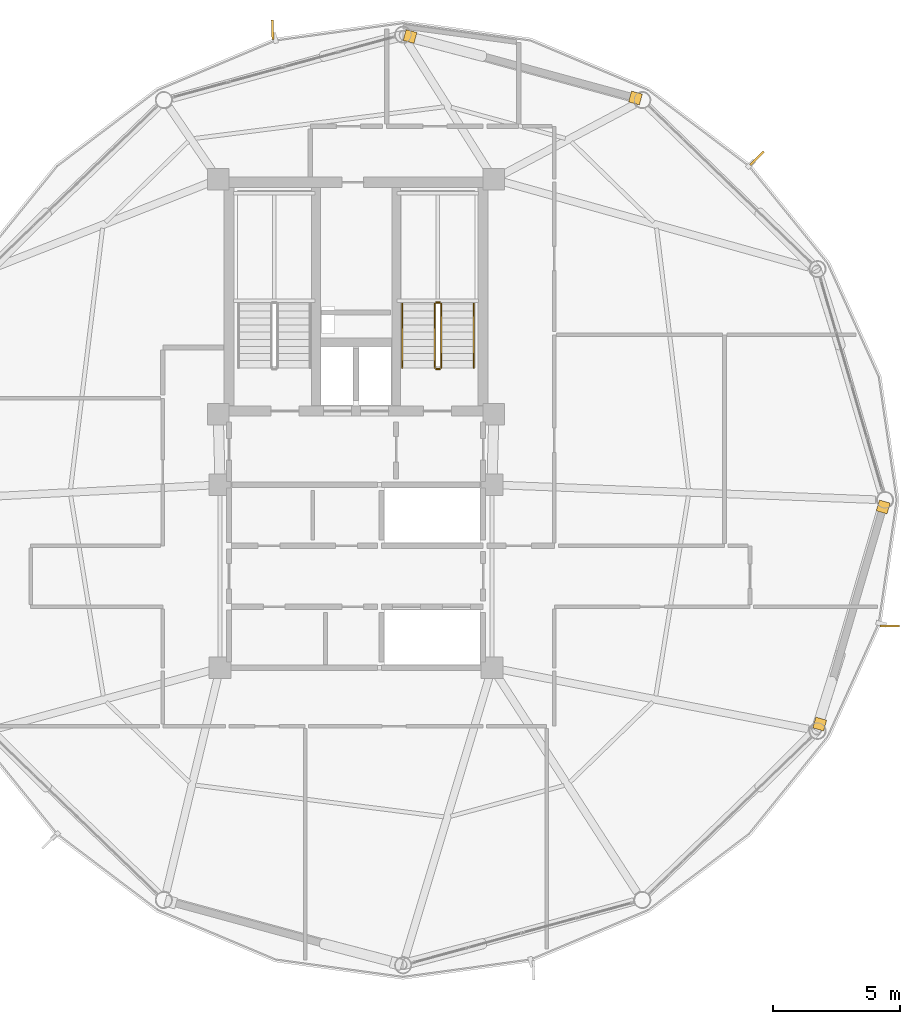
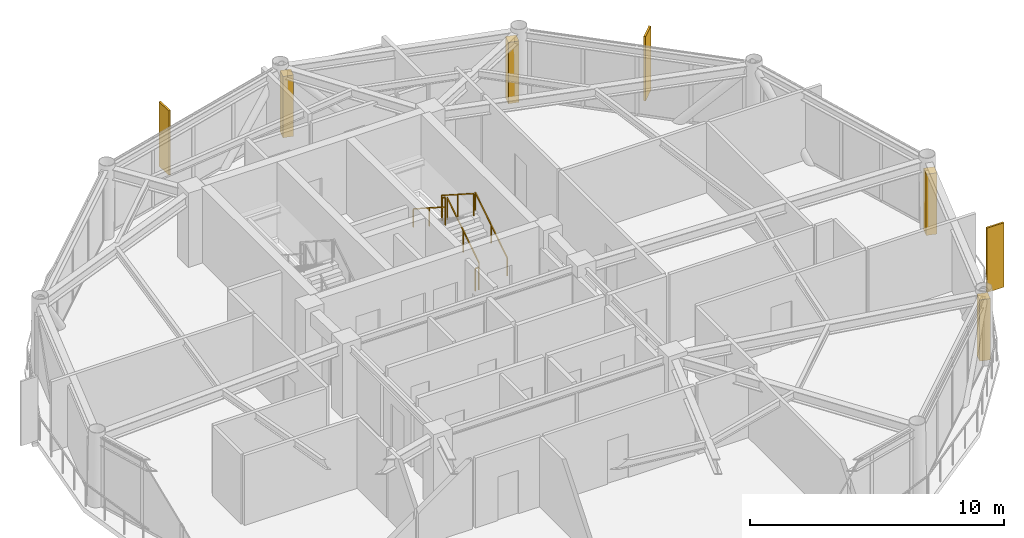
# One storey, part 26 of 26: 6 railings, 4 coverings, 3 shading devices.
"""IFC4 building model written with IfcOpenShell, lengths in metres."""

from ifc_helpers import new_model, si_unit, direction, frame, origin, origin_2d, place, context, subcontext, project, spatial, rectangle, extrude, source, transform, mapped, material, layer, layer_set, type_object, type_shapes, element, save


model = new_model("IFC4")

# Units and contexts
model_context = context("Model", 3, precision=1e-05, world=origin(), true_north=direction((0.0, 1.0)))
body_context = subcontext(model_context, "Body", "Model", "MODEL_VIEW")
ifc_project = project(units=[si_unit("LENGTHUNIT", "METRE"), si_unit("AREAUNIT", "SQUARE_METRE"), si_unit("VOLUMEUNIT", "CUBIC_METRE"), si_unit("PLANEANGLEUNIT", "RADIAN"), si_unit("MASSUNIT", "GRAM", prefix="KILO")], contexts=[model_context])

# Site, building, storey
site_placement = place(None, origin())
site = spatial("IfcSite", under=ifc_project, at=site_placement, CompositionType="ELEMENT")
building_placement = place(site_placement, origin())
building = spatial("IfcBuilding", under=site, at=building_placement, Name="Varnakorn Sky Granary", CompositionType="ELEMENT")
storey_placement = place(building_placement, frame((0.0, 0.0, 222.0)))
storey = spatial("IfcBuildingStorey", under=building, at=storey_placement, Name="L56", CompositionType="ELEMENT", Elevation=222.0)

# Railings
ifc_material_1 = material(Name="Brushed Stainless Steel 316", Category="steel")
railing_type_1 = type_object("IfcRailingType", Name="RL-STAIR-1100", PredefinedType="GUARDRAIL", material=ifc_material_1)
railing_1_placement = place(storey_placement, frame((6.35009765625, 5.199951171875, 0.179931640625)))
element("IfcRailing", 1, at=railing_1_placement, inside=storey, type_object=railing_type_1, Name="L56 ST-2 stair guard 1", PredefinedType="GUARDRAIL", context=body_context, shape_type="SweptSolid", body=[
    extrude(rectangle(XDim=0.048095703125, YDim=0.048095703125, at=origin_2d()), frame((0.0, 0.0, 1.076171875), z_axis=(0.0, 0.841162588446, 0.540782303519), x_axis=(-1.0, 0.0, 0.0)), (0.0, 0.0, 1.0), 2.995849609375),
    extrude(rectangle(XDim=0.0419921875, YDim=0.0419921875, at=origin_2d()), origin(), (0.0, 0.0, 1.0), 1.048095703125),
    extrude(rectangle(XDim=0.0419921875, YDim=0.0419921875, at=origin_2d()), frame((0.0, 1.260009765625, 0.81005859375)), (0.0, 0.0, 1.0), 1.048095703125),
    extrude(rectangle(XDim=0.0419921875, YDim=0.0419921875, at=origin_2d()), frame((0.0, 2.52001953125, 1.6201171875)), (0.0, 0.0, 1.0), 1.048095703125),
])
railing_2_placement = place(storey_placement, frame((6.300048828125, 7.77001953125, 1.800048828125)))
element("IfcRailing", 2, at=railing_2_placement, inside=storey, type_object=railing_type_1, Name="L56 ST-2 stair guard 2", PredefinedType="GUARDRAIL", context=body_context, shape_type="SweptSolid", body=[
    extrude(rectangle(XDim=0.048095703125, YDim=0.048095703125, at=origin_2d()), frame((0.0, 0.0, 1.076171875), z_axis=(-1.0, 0.0, 0.0), x_axis=(0.0, -1.0, 0.0)), (0.0, 0.0, 1.0), 0.150146484375),
    extrude(rectangle(XDim=0.0419921875, YDim=0.0419921875, at=origin_2d()), origin(), (0.0, 0.0, 1.0), 1.048095703125),
    extrude(rectangle(XDim=0.0419921875, YDim=0.0419921875, at=origin_2d()), frame((-0.150146484375, 0.0, 0.0)), (0.0, 0.0, 1.0), 1.048095703125),
])
railing_3_placement = place(storey_placement, frame((6.10009765625, 7.719970703125, 1.97998046875)))
element("IfcRailing", 3, at=railing_3_placement, inside=storey, type_object=railing_type_1, Name="L56 ST-2 stair guard 3", PredefinedType="GUARDRAIL", context=body_context, shape_type="SweptSolid", body=[
    extrude(rectangle(XDim=0.048095703125, YDim=0.048095703125, at=origin_2d()), frame((0.0, 0.0, 1.076171875), z_axis=(0.0, -0.841162588446, 0.540782303519), x_axis=(1.0, 0.0, 0.0)), (0.0, 0.0, 1.0), 2.995849609375),
    extrude(rectangle(XDim=0.0419921875, YDim=0.0419921875, at=origin_2d()), origin(), (0.0, 0.0, 1.0), 1.048095703125),
    extrude(rectangle(XDim=0.0419921875, YDim=0.0419921875, at=origin_2d()), frame((0.0, -1.260009765625, 0.81005859375)), (0.0, 0.0, 1.0), 1.048095703125),
    extrude(rectangle(XDim=0.0419921875, YDim=0.0419921875, at=origin_2d()), frame((0.0, -2.52001953125, 1.6201171875)), (0.0, 0.0, 1.0), 1.048095703125),
])
railing_4_placement = place(storey_placement, frame((6.300048828125, 5.14990234375, 0.0)))
element("IfcRailing", 4, at=railing_4_placement, inside=storey, type_object=railing_type_1, Name="L56 ST-2 stair guard 4", PredefinedType="GUARDRAIL", context=body_context, shape_type="SweptSolid", body=[
    extrude(rectangle(XDim=0.048095703125, YDim=0.048095703125, at=origin_2d()), frame((0.0, 0.0, 1.076171875), z_axis=(-1.0, 0.0, 0.0), x_axis=(0.0, -1.0, 0.0)), (0.0, 0.0, 1.0), 0.150146484375),
    extrude(rectangle(XDim=0.0419921875, YDim=0.0419921875, at=origin_2d()), origin(), (0.0, 0.0, 1.0), 1.048095703125),
    extrude(rectangle(XDim=0.0419921875, YDim=0.0419921875, at=origin_2d()), frame((-0.150146484375, 0.0, 0.0)), (0.0, 0.0, 1.0), 1.048095703125),
])
railing_type_2 = type_object("IfcRailingType", Name="RL-STAIR-920", PredefinedType="HANDRAIL", material=ifc_material_1)
railing_5_placement = place(storey_placement, frame((7.6298828125, 5.199951171875, 0.179931640625)))
element("IfcRailing", 5, at=railing_5_placement, inside=storey, type_object=railing_type_2, Name="L56 ST-2 stair handrail 1", PredefinedType="HANDRAIL", context=body_context, shape_type="SweptSolid", body=[
    extrude(rectangle(XDim=0.048095703125, YDim=0.048095703125, at=origin_2d()), frame((0.0, 0.0, 0.8759765625), z_axis=(0.0, 0.841162588446, 0.540782303519), x_axis=(-1.0, 0.0, 0.0)), (0.0, 0.0, 1.0), 2.995849609375),
    extrude(rectangle(XDim=0.0419921875, YDim=0.0419921875, at=origin_2d()), origin(), (0.0, 0.0, 1.0), 0.847900390625),
    extrude(rectangle(XDim=0.0419921875, YDim=0.0419921875, at=origin_2d()), frame((0.0, 1.260009765625, 0.81005859375)), (0.0, 0.0, 1.0), 0.847900390625),
    extrude(rectangle(XDim=0.0419921875, YDim=0.0419921875, at=origin_2d()), frame((0.0, 2.52001953125, 1.6201171875)), (0.0, 0.0, 1.0), 0.847900390625),
])
railing_6_placement = place(storey_placement, frame((4.820068359375, 7.719970703125, 1.97998046875)))
element("IfcRailing", 6, at=railing_6_placement, inside=storey, type_object=railing_type_2, Name="L56 ST-2 stair handrail 2", PredefinedType="HANDRAIL", context=body_context, shape_type="SweptSolid", body=[
    extrude(rectangle(XDim=0.048095703125, YDim=0.048095703125, at=origin_2d()), frame((0.0, 0.0, 0.8759765625), z_axis=(0.0, -0.841162588446, 0.540782303519), x_axis=(1.0, 0.0, 0.0)), (0.0, 0.0, 1.0), 2.995849609375),
    extrude(rectangle(XDim=0.0419921875, YDim=0.0419921875, at=origin_2d()), origin(), (0.0, 0.0, 1.0), 0.847900390625),
    extrude(rectangle(XDim=0.0419921875, YDim=0.0419921875, at=origin_2d()), frame((0.0, -1.260009765625, 0.81005859375)), (0.0, 0.0, 1.0), 0.847900390625),
    extrude(rectangle(XDim=0.0419921875, YDim=0.0419921875, at=origin_2d()), frame((0.0, -2.52001953125, 1.6201171875)), (0.0, 0.0, 1.0), 0.847900390625),
])

# Coverings
ifc_material_2 = material(Name="Anodised Bronze Aluminium Alloy 6063-T6", Category="aluminium")
ifc_layer = layer(ifc_material_2, 0.050048828125, Name="Anodised Bronze Aluminium Alloy 6063-T6")
ifc_layer_set = layer_set([ifc_layer], Name="Anodised Bronze Aluminium Alloy 6063-T6")
covering_type = type_object("IfcCoveringType", Name="CV-CLAD-50", PredefinedType="CLADDING", material=ifc_layer_set)
shared_shape_1 = source(origin(), body_context, "Body", "SweptSolid", [
    extrude(rectangle(XDim=0.43994140625, YDim=0.43994140625, at=origin_2d()), origin(), (0.0, 0.0, 1.0), 2.949951171875),
])
type_shapes(covering_type, [shared_shape_1])
for number, where, z_axis, x_axis, name in (
    (7, (5.125, 18.235107421875, -0.02001953125), (0.0, 0.0, 1.0), (0.964741401527, -0.263199597605, 0.0), "Bronze Corner Pilaster Closure L56-P03-A"),
    (8, (13.9921875, 15.81494140625, -0.02001953125), (0.0, 0.0, 1.0), (0.964741401527, -0.263199597605, 0.0), "Bronze Corner Pilaster Closure L56-P03-B"),
    (9, (23.739013671875, -0.2734375, -0.02001953125), (0.0, 0.0, 1.0), (-0.28083422227, -0.959756291775, 0.0), "Bronze Corner Pilaster Closure L56-P12-A"),
    (10, (21.24072265625, -8.81396484375, -0.02001953125), (0.0, 0.0, 1.0), (-0.28083422227, -0.959756291775, 0.0), "Bronze Corner Pilaster Closure L56-P12-B"),
):
    element("IfcCovering", number, at=place(storey_placement, frame(where, z_axis=z_axis, x_axis=x_axis)), inside=storey, type_object=covering_type, Name=name, PredefinedType="CLADDING", context=body_context, shape_type="MappedRepresentation", body=[
        mapped(shared_shape_1, transform((0.0, 0.0, 0.0), x_axis=(1.0, 0.0, 0.0), y_axis=(0.0, 1.0, 0.0), z_axis=(0.0, 0.0, 1.0), scale=1.0)),
    ])

# Shading devices
shading_device_type = type_object("IfcShadingDeviceType", Name="SH-FIN-03", PredefinedType="USERDEFINED", material=ifc_material_2)
shared_shape_2 = source(origin(), body_context, "Body", "SweptSolid", [
    extrude(rectangle(XDim=0.0849609375, YDim=0.760009765625, at=origin_2d()), origin(), (0.0, 0.0, 1.0), 3.10009765625),
])
type_shapes(shading_device_type, [shared_shape_2])
for number, where, z_axis, x_axis, name in (
    (11, (18.770751953125, 13.443359375, -0.0400390625), (0.0, 0.0, 1.0), (-0.701639226077, 0.712532382724, 0.0), "Bronze Solar-Tracking Vertical Blade FIN L56-02"),
    (12, (-0.2822265625, 18.501220703125, -0.0400390625), (0.0, 0.0, 1.0), (-0.999511943308, -0.031239001031, 0.0), "Bronze Solar-Tracking Vertical Blade FIN L56-04"),
    (13, (23.98974609375, -4.953857421875, -0.0400390625), (0.0, 0.0, 1.0), (0.009079526477, 0.99995878025, 0.0), "Bronze Solar-Tracking Vertical Blade FIN L56-12"),
):
    element("IfcShadingDevice", number, at=place(storey_placement, frame(where, z_axis=z_axis, x_axis=x_axis)), inside=storey, type_object=shading_device_type, Name=name, ObjectType="FIN", PredefinedType="USERDEFINED", context=body_context, shape_type="MappedRepresentation", body=[
        mapped(shared_shape_2, transform((0.0, 0.0, 0.0), x_axis=(1.0, 0.0, 0.0), y_axis=(0.0, 1.0, 0.0), z_axis=(0.0, 0.0, 1.0), scale=1.0)),
    ])

save(model, "model.ifc")
